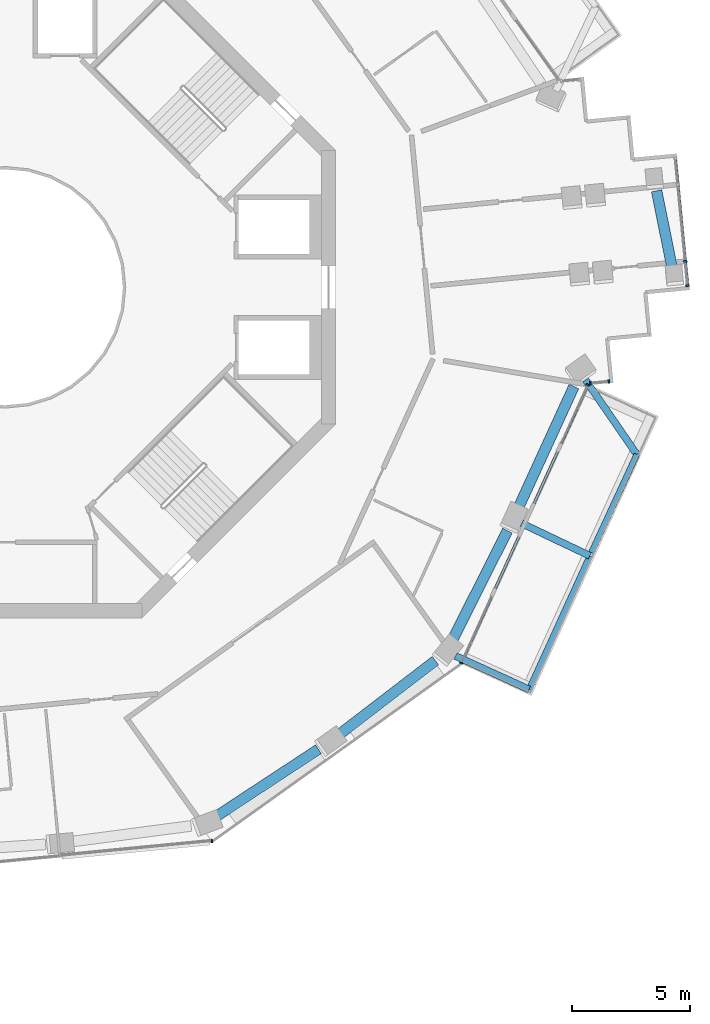
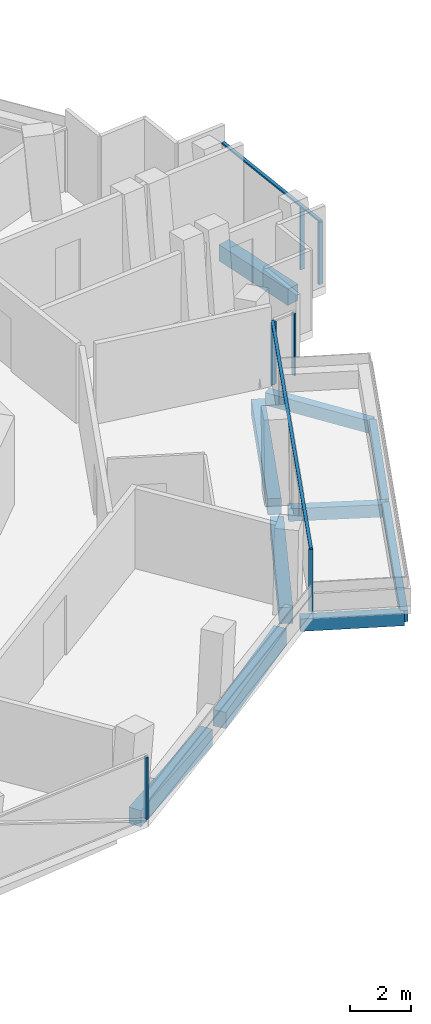
# One storey, part 5 of 22: 10 beams, 9 members, 4 elements without a shape of their own.
"""IFC4 building model written with IfcOpenShell, lengths in metres."""

import ifcopenshell
import ifcopenshell.guid

model = None  # the IFC model being written
_history = None  # IfcOwnerHistory: only IFC2X3 demands one
_inside = {}  # id of a spatial element -> (the spatial element, [elements in it])
_under = {}  # id of a project, library or spatial element -> (it, [spatial elements below it])
_declared = {}  # id of a project -> (the project, [libraries it declares])
_typed = {}  # id of a type object -> (the type object, [elements of that type])
_made_of = {}  # id of a material, layer set ... -> (it, [elements and type objects made of it])


def new_model(schema):
    """Start an empty IFC model of exactly this schema.

    Asked for "IFC4X3", IfcOpenShell would pick the latest addendum, in which some entities
    have other attributes; the version numbers below select the first issue.
    IFC2X3 requires an IfcOwnerHistory on every rooted entity: one is made here for all.
    """
    global model, _history
    if schema == "IFC4X3":
        model = ifcopenshell.file(schema_version=(4, 3, 0, 0))
    else:
        model = ifcopenshell.file(schema=schema)
    _inside.clear()
    _under.clear()
    _declared.clear()
    _typed.clear()
    _made_of.clear()
    _history = None
    if model.schema == "IFC2X3":
        org = make("IfcOrganization", Name="unknown")
        user = make(
            "IfcPersonAndOrganization",
            ThePerson=make("IfcPerson", FamilyName="unknown"),
            TheOrganization=org,
        )
        app = make(
            "IfcApplication",
            ApplicationDeveloper=org,
            Version="unknown",
            ApplicationFullName="unknown",
            ApplicationIdentifier="unknown",
        )
        _history = make(
            "IfcOwnerHistory",
            OwningUser=user,
            OwningApplication=app,
            ChangeAction="ADDED",
            CreationDate=0,
        )
    return model


def make(cls, **values):
    """One entity of the class cls with the attributes given. An attribute that is None is left unset."""
    return model.create_entity(
        cls, **{name: value for name, value in values.items() if value is not None}
    )


def rooted(cls, **values):
    """An entity with a GlobalId (a new one), such as an element, a storey or a relation."""
    return make(cls, GlobalId=ifcopenshell.guid.new(), OwnerHistory=_history, **values)


def si_unit(unit_type, name, prefix=None):
    """IfcSIUnit, for example si_unit("LENGTHUNIT", "METRE", prefix="MILLI")."""
    return make("IfcSIUnit", UnitType=unit_type, Prefix=prefix, Name=name)


def assignment(units):
    """IfcUnitAssignment: the units of a project."""
    return None if units is None else make("IfcUnitAssignment", Units=units)


def point(xyz):
    """IfcCartesianPoint."""
    return None if xyz is None else make("IfcCartesianPoint", Coordinates=xyz)


def direction(xyz):
    """IfcDirection."""
    return None if xyz is None else make("IfcDirection", DirectionRatios=xyz)


def frame(location, z_axis=None, x_axis=None):
    """IfcAxis2Placement3D, a coordinate frame: its origin and axes. An axis left out is left unset."""
    return make(
        "IfcAxis2Placement3D",
        Location=point(location),
        Axis=direction(z_axis),
        RefDirection=direction(x_axis),
    )


def frame_2d(location, x_axis=None):
    """IfcAxis2Placement2D, a coordinate frame in the plane: its origin and x axis."""
    return make(
        "IfcAxis2Placement2D", Location=point(location), RefDirection=direction(x_axis)
    )


def origin():
    """The frame at (0, 0, 0) with its axes left unset."""
    return frame((0.0, 0.0, 0.0))


def origin_2d():
    """The frame at (0, 0) in the plane with its x axis left unset."""
    return frame_2d((0.0, 0.0))


def place(relative_to, where):
    """IfcLocalPlacement: puts the frame where relative to a parent placement (None: the world)."""
    return make(
        "IfcLocalPlacement", PlacementRelTo=relative_to, RelativePlacement=where
    )


def context(
    kind, dimensions, precision=None, world=None, true_north=None, identifier=None
):
    """IfcGeometricRepresentationContext, for example the 3D "Model" context."""
    return make(
        "IfcGeometricRepresentationContext",
        ContextIdentifier=identifier,
        ContextType=kind,
        CoordinateSpaceDimension=dimensions,
        Precision=precision,
        WorldCoordinateSystem=world,
        TrueNorth=true_north,
    )


def subcontext(parent, identifier, kind, view, scale=None):
    """IfcGeometricRepresentationSubContext, for example "Body" below "Model"."""
    return make(
        "IfcGeometricRepresentationSubContext",
        ContextIdentifier=identifier,
        ContextType=kind,
        ParentContext=parent,
        TargetScale=scale,
        TargetView=view,
    )


def project(units=None, contexts=None):
    """IfcProject with its units and contexts."""
    return rooted(
        "IfcProject",
        Name="project",
        RepresentationContexts=contexts,
        UnitsInContext=assignment(units),
    )


def spatial(cls, under=None, at=None, **own):
    """A site, building, storey or space (cls), placed at a placement, below another one or the project."""
    s = rooted(cls, ObjectPlacement=at, **own)
    if under is not None:
        _under.setdefault(under.id(), (under, []))[1].append(s)
    return s


def profile(cls, at=None, kind="AREA", **sizes):
    """A parametric profile (cls). Its sizes go by their IFC names, for example OverallWidth=200.0."""
    return make(cls, ProfileType=kind, Position=at, **sizes)


def rectangle(**sizes):
    """IfcRectangleProfileDef."""
    return profile("IfcRectangleProfileDef", **sizes)


def extrude(swept, where, along, depth):
    """IfcExtrudedAreaSolid: the profile swept, set in the frame where, extruded along a direction by depth."""
    return make(
        "IfcExtrudedAreaSolid",
        SweptArea=swept,
        Position=where,
        ExtrudedDirection=direction(along),
        Depth=depth,
    )


def shape(context_of_items, identifier, shape_type, items):
    """IfcShapeRepresentation: the items that make up one representation, for example the "Body"."""
    return make(
        "IfcShapeRepresentation",
        ContextOfItems=context_of_items,
        RepresentationIdentifier=identifier,
        RepresentationType=shape_type,
        Items=items,
    )


def material(Name=None, Category=None):
    """IfcMaterial."""
    return make("IfcMaterial", Name=Name, Category=Category)


def layer(
    of_material, thickness, ventilated=None, Name=None, Category=None, Priority=None
):
    """IfcMaterialLayer: one layer of a wall or slab, of a material (None: an air gap)."""
    return make(
        "IfcMaterialLayer",
        Material=of_material,
        LayerThickness=thickness,
        IsVentilated=ventilated,
        Name=Name,
        Category=Category,
        Priority=Priority,
    )


def layer_set(layers, Name=None):
    """IfcMaterialLayerSet."""
    return make("IfcMaterialLayerSet", MaterialLayers=layers, LayerSetName=Name)


def material_profile(
    of_material, cross_section, Name=None, Category=None, Priority=None
):
    """IfcMaterialProfile: a cross section and its material."""
    return make(
        "IfcMaterialProfile",
        Name=Name,
        Material=of_material,
        Profile=cross_section,
        Priority=Priority,
        Category=Category,
    )


def profile_set(profiles, Name=None, composite=None):
    """IfcMaterialProfileSet."""
    return make(
        "IfcMaterialProfileSet",
        Name=Name,
        MaterialProfiles=profiles,
        CompositeProfile=composite,
    )


def made_of(thing, what):
    """Note that an element or type object is made of a material, layer set ...; save() writes the relation."""
    if what is not None:
        _made_of.setdefault(what.id(), (what, []))[1].append(thing)
    return thing


def type_object(cls, material=None, **own):
    """A type object (cls), such as IfcWallType, which elements share."""
    return made_of(rooted(cls, **own), material)


def element(
    cls,
    number,
    at=None,
    inside=None,
    cuts=None,
    type_object=None,
    material=None,
    context=None,
    identifier="Body",
    shape_type=None,
    held_by="IfcProductDefinitionShape",
    body=None,
    shapes=None,
    **own,
):
    """One element of the class cls, such as IfcWall. Its Tag is "e" and its number.

    at: its placement. inside: the storey or other place that contains it. cuts: it is an
    opening in that element (IfcRelVoidsElement). A single representation is given by context,
    identifier, shape_type and body (its items); several are given by shapes. held_by: the class
    of the entity that holds the representations. save() writes the other relations.
    """
    e = rooted(cls, Tag="e%d" % number, ObjectPlacement=at, **own)
    if body is not None:
        shapes = [shape(context, identifier, shape_type, body)]
    if shapes is not None:
        e.Representation = make(held_by, Representations=shapes)
    if inside is not None:
        _inside.setdefault(inside.id(), (inside, []))[1].append(e)
    if cuts is not None:
        rooted(
            "IfcRelVoidsElement", RelatingBuildingElement=cuts, RelatedOpeningElement=e
        )
    if type_object is not None:
        _typed.setdefault(type_object.id(), (type_object, []))[1].append(e)
    return made_of(e, material)


def aggregate(whole, parts):
    """IfcRelAggregates: a whole, such as a stair, and the parts it consists of."""
    return rooted("IfcRelAggregates", RelatingObject=whole, RelatedObjects=parts)


def save(model, path):
    """Write the relations noted so far, then the file.

    IfcRelAggregates (storeys below a building ...), IfcRelContainedInSpatialStructure (elements
    in a storey), IfcRelDefinesByType, IfcRelAssociatesMaterial and IfcRelDeclares: one each for
    every whole, place, type object, material and project.
    """
    for whole, parts in _under.values():
        aggregate(whole, parts)
    for where, things in _inside.values():
        rooted(
            "IfcRelContainedInSpatialStructure",
            RelatedElements=things,
            RelatingStructure=where,
        )
    for kind, things in _typed.values():
        rooted("IfcRelDefinesByType", RelatedObjects=things, RelatingType=kind)
    for what, things in _made_of.values():
        rooted("IfcRelAssociatesMaterial", RelatedObjects=things, RelatingMaterial=what)
    for by, libraries in _declared.values():
        rooted("IfcRelDeclares", RelatingContext=by, RelatedDefinitions=libraries)
    model.write(path)


model = new_model("IFC4")

# Units and contexts
model_context = context("Model", 3, precision=1e-05, world=origin(), true_north=direction((0.0, 1.0)))
body_context = subcontext(model_context, "Body", "Model", "MODEL_VIEW")
ifc_project = project(units=[si_unit("LENGTHUNIT", "METRE"), si_unit("AREAUNIT", "SQUARE_METRE"), si_unit("VOLUMEUNIT", "CUBIC_METRE"), si_unit("PLANEANGLEUNIT", "RADIAN"), si_unit("MASSUNIT", "GRAM", prefix="KILO")], contexts=[model_context])

# Site, building, storey
site_placement = place(None, origin())
site = spatial("IfcSite", under=ifc_project, at=site_placement, CompositionType="ELEMENT")
building_placement = place(site_placement, origin())
building = spatial("IfcBuilding", under=site, at=building_placement, Name="Verdalira Terraces Hotel", CompositionType="ELEMENT")
storey_placement = place(building_placement, frame((0.0, 0.0, 180.0)))
storey = spatial("IfcBuildingStorey", under=building, at=storey_placement, Name="L43", CompositionType="ELEMENT", Elevation=180.0)

# Beams
ifc_material_1 = material(Name="Concrete C40", Category="concrete")
ifc_material_profile_1 = material_profile(ifc_material_1, rectangle(XDim=0.300049, YDim=0.5, at=origin_2d()), Name="RC 300X500")
ifc_profile_set_1 = profile_set([ifc_material_profile_1], Name="Concrete C40")
beam_type_1 = type_object("IfcBeamType", Name="Balcony cantilever beam RC 300X500 C40", PredefinedType="BEAM", material=ifc_profile_set_1)
beam_1_placement = place(storey_placement, frame((19.083496, -15.613037, -0.560059), z_axis=(0.910094961, -0.41439976, 0.0), x_axis=(0.41439976, 0.910094961, 0.0)))
element("IfcBeam", 1, at=beam_1_placement, inside=storey, type_object=beam_type_1, Name="Balcony cantilever beam R27-1", PredefinedType="BEAM", context=body_context, shape_type="SweptSolid", body=[
    extrude(rectangle(XDim=0.300049, YDim=0.5, at=origin_2d()), origin(), (0.0, 0.0, 1.0), 3.420654),
])
beam_2_placement = place(storey_placement, frame((21.882324, -9.997559, -0.560059), z_axis=(0.903026819, -0.429584175, 0.0), x_axis=(0.429584175, 0.903026819, 0.0)))
element("IfcBeam", 2, at=beam_2_placement, inside=storey, type_object=beam_type_1, Name="Balcony cantilever beam R27-2", PredefinedType="BEAM", context=body_context, shape_type="SweptSolid", body=[
    extrude(rectangle(XDim=0.300049, YDim=0.5, at=origin_2d()), origin(), (0.0, 0.0, 1.0), 3.200684),
])
beam_3_placement = place(storey_placement, frame((24.591553, -3.927246, -0.560059), z_axis=(0.567309086, -0.823504949, 0.0), x_axis=(0.823504949, 0.567309086, 0.0)))
element("IfcBeam", 3, at=beam_3_placement, inside=storey, type_object=beam_type_1, Name="Balcony cantilever beam R27-3", PredefinedType="BEAM", context=body_context, shape_type="SweptSolid", body=[
    extrude(rectangle(XDim=0.300049, YDim=0.5, at=origin_2d()), origin(), (0.0, 0.0, 1.0), 3.823242),
])
ifc_material_2 = material(Name="Concrete C40", Category="concrete")
ifc_material_profile_2 = material_profile(ifc_material_2, rectangle(XDim=0.25, YDim=0.449951, at=origin_2d()), Name="RC 250X450")
ifc_profile_set_2 = profile_set([ifc_material_profile_2], Name="Concrete C40")
beam_type_2 = type_object("IfcBeamType", Name="Balcony edge beam RC 250X450 C40", PredefinedType="BEAM", material=ifc_profile_set_2)
beam_4_placement = place(storey_placement, frame((22.196533, -17.030518, -0.534912), z_axis=(0.414385735, 0.910101347, 0.0), x_axis=(-0.910101347, 0.414385735, 0.0)))
element("IfcBeam", 4, at=beam_4_placement, inside=storey, type_object=beam_type_2, Name="Balcony edge beam R27-1", PredefinedType="BEAM", context=body_context, shape_type="SweptSolid", body=[
    extrude(rectangle(XDim=0.25, YDim=0.449951, at=origin_2d()), origin(), (0.0, 0.0, 1.0), 6.216797),
])
beam_5_placement = place(storey_placement, frame((24.835693, -11.236328, -0.534912), z_axis=(0.419868537, 0.907584933, 0.0), x_axis=(-0.907584933, 0.419868537, 0.0)))
element("IfcBeam", 5, at=beam_5_placement, inside=storey, type_object=beam_type_2, Name="Balcony edge beam R27-2", PredefinedType="BEAM", context=body_context, shape_type="SweptSolid", body=[
    extrude(rectangle(XDim=0.25, YDim=0.449951, at=origin_2d()), origin(), (0.0, 0.0, 1.0), 4.584229),
])

# Curtain wall, member
ifc_material_3 = material(Name="Clear glass", Category="glass")
ifc_layer_1 = layer(ifc_material_3, 0.14990234375)
ifc_layer_set_1 = layer_set([ifc_layer_1], Name="CW1 curtain wall")
curtain_wall_type_1 = type_object("IfcCurtainWallType", Name="CW1 curtain wall", PredefinedType="NOTDEFINED", material=ifc_layer_set_1)
curtain_wall_1_placement = place(storey_placement, origin())
curtain_wall_1 = element("IfcCurtainWall", 6, at=curtain_wall_1_placement, inside=storey, type_object=curtain_wall_type_1, Name="CW1 curtain wall L43 edge 25", PredefinedType="NOTDEFINED")
ifc_material_4 = material(Name="Terracotta frame", Category="masonry")
ifc_material_profile_3 = material_profile(ifc_material_4, rectangle(XDim=0.060059, YDim=0.149902, at=origin_2d()), Name="MU 60x150")
ifc_profile_set_3 = profile_set([ifc_material_profile_3], Name="Terracotta frame")
member_type_1 = type_object("IfcMemberType", Name="CW1 mullion 60x150", PredefinedType="MULLION", material=ifc_profile_set_3)
member_1_placement = place(storey_placement, frame((8.766357, -23.44873, 0.0), z_axis=(0.0, 0.0, 1.0), x_axis=(0.995362681, 0.096193205, 0.0)))
member_1 = element("IfcMember", 7, at=member_1_placement, type_object=member_type_1, Name="CW1 mullion", PredefinedType="MULLION", context=body_context, shape_type="SweptSolid", body=[
    extrude(rectangle(XDim=0.060059, YDim=0.149902, at=origin_2d()), origin(), (0.0, 0.0, 1.0), 2.475098),
])
aggregate(curtain_wall_1, [member_1])

# Curtain wall, members
curtain_wall_2_placement = place(storey_placement, origin())
curtain_wall_2 = element("IfcCurtainWall", 8, at=curtain_wall_2_placement, inside=storey, type_object=curtain_wall_type_1, Name="CW1 curtain wall L43 edge 27", PredefinedType="NOTDEFINED")
member_2_placement = place(storey_placement, frame((19.328369, -15.909424, 0.0), z_axis=(0.0, 0.0, 1.0), x_axis=(0.414375581, 0.910105971, 0.0)))
member_2 = element("IfcMember", 9, at=member_2_placement, type_object=member_type_1, Name="CW1 mullion", PredefinedType="MULLION", context=body_context, shape_type="SweptSolid", body=[
    extrude(rectangle(XDim=0.060059, YDim=0.149902, at=origin_2d()), origin(), (0.0, 0.0, 1.0), 2.475098),
])
member_3_placement = place(storey_placement, frame((24.69043, -4.132568, 0.0), z_axis=(0.0, 0.0, 1.0), x_axis=(0.414375581, 0.910105971, 0.0)))
member_3 = element("IfcMember", 10, at=member_3_placement, type_object=member_type_1, Name="CW1 mullion", PredefinedType="MULLION", context=body_context, shape_type="SweptSolid", body=[
    extrude(rectangle(XDim=0.060059, YDim=0.149902, at=origin_2d()), origin(), (0.0, 0.0, 1.0), 2.475098),
])
ifc_material_5 = material(Name="Terracotta frame", Category="masonry")
ifc_material_profile_4 = material_profile(ifc_material_5, rectangle(XDim=0.110107, YDim=0.064941, at=origin_2d()), Name="TR 65x110")
ifc_profile_set_4 = profile_set([ifc_material_profile_4], Name="Terracotta frame")
member_type_2 = type_object("IfcMemberType", Name="CW1 transom 65x110", PredefinedType="USERDEFINED", material=ifc_profile_set_4)
member_4_placement = place(storey_placement, frame((19.315918, -15.936768, 2.507568), z_axis=(0.414375903, 0.910105824, 0.0), x_axis=(-0.910105824, 0.414375903, 0.0)))
member_4 = element("IfcMember", 11, at=member_4_placement, type_object=member_type_2, Name="CW1 transom", ObjectType="TRANSOM", PredefinedType="USERDEFINED", context=body_context, shape_type="SweptSolid", body=[
    extrude(rectangle(XDim=0.110107, YDim=0.064941, at=origin_2d()), origin(), (0.0, 0.0, 1.0), 13.000244),
])
aggregate(curtain_wall_2, [member_2, member_3, member_4])

ifc_material_6 = material(Name="Clear glass", Category="glass")
ifc_layer_2 = layer(ifc_material_6, 0.14990234375)
ifc_layer_set_2 = layer_set([ifc_layer_2], Name="CW2 curtain wall")
curtain_wall_type_2 = type_object("IfcCurtainWallType", Name="CW2 curtain wall", PredefinedType="NOTDEFINED", material=ifc_layer_set_2)
curtain_wall_3_placement = place(storey_placement, origin())
curtain_wall_3 = element("IfcCurtainWall", 12, at=curtain_wall_3_placement, inside=storey, type_object=curtain_wall_type_2, Name="CW2 curtain wall L43 edge 28", PredefinedType="NOTDEFINED")
ifc_material_7 = material(Name="Terracotta frame", Category="masonry")
ifc_material_profile_5 = material_profile(ifc_material_7, rectangle(XDim=0.070068, YDim=0.149902, at=origin_2d()), Name="MU 70x150")
ifc_profile_set_5 = profile_set([ifc_material_profile_5], Name="Terracotta frame")
member_type_3 = type_object("IfcMemberType", Name="CW2 mullion 70x150", PredefinedType="MULLION", material=ifc_profile_set_5)
member_5_placement = place(storey_placement, frame((24.798828, -4.05835, 0.0), z_axis=(0.0, 0.0, 1.0), x_axis=(0.995362681, 0.096193205, 0.0)))
member_5 = element("IfcMember", 13, at=member_5_placement, type_object=member_type_3, Name="CW2 mullion", PredefinedType="MULLION", context=body_context, shape_type="SweptSolid", body=[
    extrude(rectangle(XDim=0.070068, YDim=0.149902, at=origin_2d()), origin(), (0.0, 0.0, 1.0), 2.475098),
])
member_6_placement = place(storey_placement, frame((25.575195, -3.983398, 0.0), z_axis=(0.0, 0.0, 1.0), x_axis=(0.995362681, 0.096193205, 0.0)))
member_6 = element("IfcMember", 14, at=member_6_placement, type_object=member_type_3, Name="CW2 mullion", PredefinedType="MULLION", context=body_context, shape_type="SweptSolid", body=[
    extrude(rectangle(XDim=0.070068, YDim=0.149902, at=origin_2d()), origin(), (0.0, 0.0, 1.0), 2.475098),
])
aggregate(curtain_wall_3, [member_5, member_6])

ifc_material_8 = material(Name="Clear glass", Category="glass")
ifc_layer_3 = layer(ifc_material_8, 0.14990234375)
ifc_layer_set_3 = layer_set([ifc_layer_3], Name="CW3 curtain wall")
curtain_wall_type_3 = type_object("IfcCurtainWallType", Name="CW3 curtain wall", PredefinedType="NOTDEFINED", material=ifc_layer_set_3)
curtain_wall_4_placement = place(storey_placement, origin())
curtain_wall_4 = element("IfcCurtainWall", 15, at=curtain_wall_4_placement, inside=storey, type_object=curtain_wall_type_3, Name="CW3 curtain wall L43 edge 33", PredefinedType="NOTDEFINED")
ifc_material_9 = material(Name="Terracotta frame", Category="masonry")
ifc_material_profile_6 = material_profile(ifc_material_9, rectangle(XDim=0.080078, YDim=0.149902, at=origin_2d()), Name="MU 80x150")
ifc_profile_set_6 = profile_set([ifc_material_profile_6], Name="Terracotta frame")
member_type_4 = type_object("IfcMemberType", Name="CW3 mullion 80x150", PredefinedType="MULLION", material=ifc_profile_set_6)
member_7_placement = place(storey_placement, frame((28.910645, 0.071289, 0.0), z_axis=(0.0, 0.0, 1.0), x_axis=(-0.096193205, 0.995362681, 0.0)))
member_7 = element("IfcMember", 16, at=member_7_placement, type_object=member_type_4, Name="CW3 mullion", PredefinedType="MULLION", context=body_context, shape_type="SweptSolid", body=[
    extrude(rectangle(XDim=0.080078, YDim=0.149902, at=origin_2d()), origin(), (0.0, 0.0, 1.0), 2.475098),
])
member_8_placement = place(storey_placement, frame((28.811035, 1.10083, 0.0), z_axis=(0.0, 0.0, 1.0), x_axis=(-0.096193205, 0.995362681, 0.0)))
member_8 = element("IfcMember", 17, at=member_8_placement, type_object=member_type_4, Name="CW3 mullion", PredefinedType="MULLION", context=body_context, shape_type="SweptSolid", body=[
    extrude(rectangle(XDim=0.080078, YDim=0.149902, at=origin_2d()), origin(), (0.0, 0.0, 1.0), 2.475098),
])
ifc_material_10 = material(Name="Terracotta frame", Category="masonry")
ifc_material_profile_7 = material_profile(ifc_material_10, rectangle(XDim=0.120117, YDim=0.064941, at=origin_2d()), Name="TR 65x120")
ifc_profile_set_7 = profile_set([ifc_material_profile_7], Name="Terracotta frame")
member_type_5 = type_object("IfcMemberType", Name="CW3 transom 65x120", PredefinedType="USERDEFINED", material=ifc_profile_set_7)
member_9_placement = place(storey_placement, frame((28.914307, 0.031494, 2.507568), z_axis=(-0.096189427, 0.995363046, 0.0), x_axis=(-0.995363046, -0.096189427, 0.0)))
member_9 = element("IfcMember", 18, at=member_9_placement, type_object=member_type_5, Name="CW3 transom", ObjectType="TRANSOM", PredefinedType="USERDEFINED", context=body_context, shape_type="SweptSolid", body=[
    extrude(rectangle(XDim=0.120117, YDim=0.064941, at=origin_2d()), origin(), (0.0, 0.0, 1.0), 5.5),
])
aggregate(curtain_wall_4, [member_7, member_8, member_9])

# Beams
ifc_material_11 = material(Name="Concrete C50", Category="concrete")
ifc_material_profile_8 = material_profile(ifc_material_11, rectangle(XDim=0.449951, YDim=0.649902, at=origin_2d()), Name="RC 450X650")
ifc_profile_set_8 = profile_set([ifc_material_profile_8], Name="Concrete C50")
beam_type_3 = type_object("IfcBeamType", Name="Spandrel beam RC 450X650 C50", PredefinedType="SPANDREL", material=ifc_profile_set_8)
beam_6_placement = place(storey_placement, frame((8.938965, -22.414795, -0.63501), z_axis=(0.835799799, 0.54903433, 0.0), x_axis=(-0.54903433, 0.835799799, 0.0)))
element("IfcBeam", 19, at=beam_6_placement, inside=storey, type_object=beam_type_3, Name="Spandrel beam B13", PredefinedType="SPANDREL", context=body_context, shape_type="SweptSolid", body=[
    extrude(rectangle(XDim=0.449951, YDim=0.649902, at=origin_2d()), origin(), (0.0, 0.0, 1.0), 5.192383),
])
beam_7_placement = place(storey_placement, frame((14.116455, -18.968262, -0.63501), z_axis=(0.793403379, 0.608696212, 0.0), x_axis=(-0.608696212, 0.793403379, 0.0)))
element("IfcBeam", 20, at=beam_7_placement, inside=storey, type_object=beam_type_3, Name="Spandrel beam B14", PredefinedType="SPANDREL", context=body_context, shape_type="SweptSolid", body=[
    extrude(rectangle(XDim=0.449951, YDim=0.649902, at=origin_2d()), origin(), (0.0, 0.0, 1.0), 5.189209),
])
beam_8_placement = place(storey_placement, frame((18.94873, -14.942139, -0.63501), z_axis=(0.449318831, 0.893371473, 0.0), x_axis=(-0.893371473, 0.449318831, 0.0)))
element("IfcBeam", 21, at=beam_8_placement, inside=storey, type_object=beam_type_3, Name="Spandrel beam B15", PredefinedType="SPANDREL", context=body_context, shape_type="SweptSolid", body=[
    extrude(rectangle(XDim=0.449951, YDim=0.649902, at=origin_2d()), origin(), (0.0, 0.0, 1.0), 5.192383),
])
beam_9_placement = place(storey_placement, frame((21.720947, -9.38916, -0.63501), z_axis=(0.416299629, 0.909227484, 0.0), x_axis=(-0.909227484, 0.416299629, 0.0)))
element("IfcBeam", 22, at=beam_9_placement, inside=storey, type_object=beam_type_3, Name="Spandrel beam B16", PredefinedType="SPANDREL", context=body_context, shape_type="SweptSolid", body=[
    extrude(rectangle(XDim=0.449951, YDim=0.649902, at=origin_2d()), origin(), (0.0, 0.0, 1.0), 5.706299),
])
beam_10_placement = place(storey_placement, frame((28.271729, 0.750244, -0.63501), z_axis=(-0.198294714, 0.980142442, 0.0), x_axis=(-0.980142442, -0.198294714, 0.0)))
element("IfcBeam", 23, at=beam_10_placement, inside=storey, type_object=beam_type_3, Name="Spandrel beam B17", PredefinedType="SPANDREL", context=body_context, shape_type="SweptSolid", body=[
    extrude(rectangle(XDim=0.449951, YDim=0.649902, at=origin_2d()), origin(), (0.0, 0.0, 1.0), 3.404297),
])

save(model, "model.ifc")
